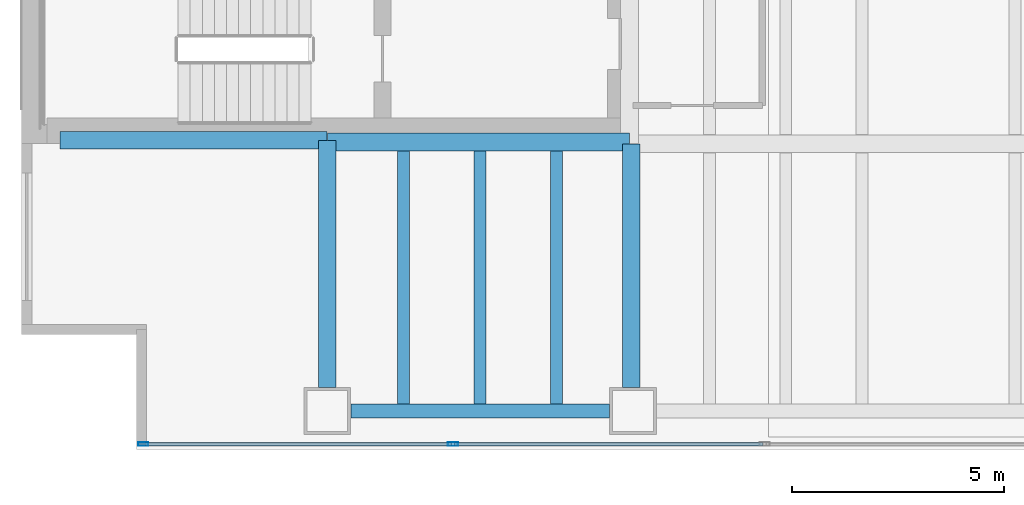
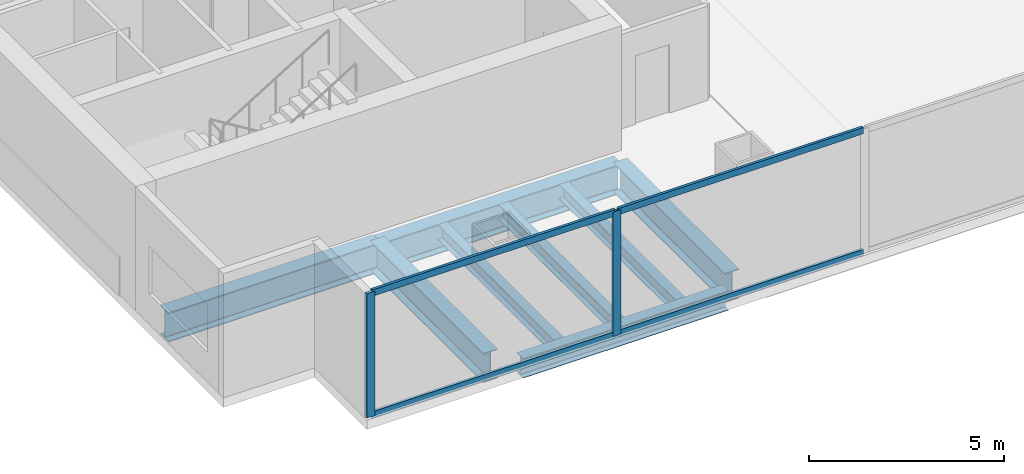
# One storey, part 2 of 32: 8 beams, 6 members, 1 element without a shape of its own.
"""IFC4 building model written with IfcOpenShell, lengths in metres."""

from ifc_helpers import new_model, si_unit, direction, frame, origin, origin_2d, place, context, subcontext, project, spatial, hollow_rectangle, i_section, extrude, material, material_profile, profile_set, type_object, element, aggregate, save


model = new_model("IFC4")

# Units and contexts
model_context = context("Model", 3, precision=1e-05, world=origin(), true_north=direction((0.0, 1.0)))
body_context = subcontext(model_context, "Body", "Model", "MODEL_VIEW")
ifc_project = project(units=[si_unit("LENGTHUNIT", "METRE"), si_unit("AREAUNIT", "SQUARE_METRE"), si_unit("VOLUMEUNIT", "CUBIC_METRE"), si_unit("PLANEANGLEUNIT", "RADIAN"), si_unit("MASSUNIT", "GRAM", prefix="KILO")], contexts=[model_context])

# Site, building, storey
site_placement = place(None, origin())
site = spatial("IfcSite", under=ifc_project, at=site_placement, CompositionType="ELEMENT")
building_placement = place(site_placement, origin())
building = spatial("IfcBuilding", under=site, at=building_placement, Name="Cobrela Telecom Tower", CompositionType="ELEMENT")
storey_placement = place(building_placement, frame((0.0, 0.0, 22.050048828125)))
storey = spatial("IfcBuildingStorey", under=building, at=storey_placement, Name="L05", CompositionType="ELEMENT", Elevation=22.050048828125)

# Beams
ifc_material_1 = material(Name="Steel ASTM A992 Grade 50", Category="steel")
ifc_material_profile_1 = material_profile(ifc_material_1, i_section(OverallWidth=0.4189453125, OverallDepth=0.927001953125, WebThickness=0.019287109375, FlangeThickness=0.031982421875, FilletRadius=0.02392578125, at=origin_2d()), Name="W36X231")
ifc_profile_set_1 = profile_set([ifc_material_profile_1], Name="Steel ASTM A992 Grade 50")
beam_type_1 = type_object("IfcBeamType", Name="BM-GIRD-02", PredefinedType="USERDEFINED", material=ifc_profile_set_1)
beam_1_placement = place(storey_placement, frame((0.905029296875, 7.280029296875, -0.753662109375), z_axis=(1.0, 0.0, 0.0), x_axis=(0.0, 1.0, 0.0)))
element("IfcBeam", 1, at=beam_1_placement, inside=storey, type_object=beam_type_1, Name="L05 Primary Girder X10", ObjectType="GIRDER", PredefinedType="USERDEFINED", context=body_context, shape_type="SweptSolid", body=[
    extrude(i_section(OverallWidth=0.4189453125, OverallDepth=0.927001953125, WebThickness=0.019287109375, FlangeThickness=0.031982421875, FilletRadius=0.02392578125, at=origin_2d()), origin(), (0.0, 0.0, 1.0), 6.2900390625),
])
beam_2_placement = place(storey_placement, frame((7.205078125, 7.239990234375, -0.753662109375), z_axis=(1.0, 0.0, 0.0), x_axis=(0.0, 1.0, 0.0)))
element("IfcBeam", 2, at=beam_2_placement, inside=storey, type_object=beam_type_1, Name="L05 Primary Girder X11", ObjectType="GIRDER", PredefinedType="USERDEFINED", context=body_context, shape_type="SweptSolid", body=[
    extrude(i_section(OverallWidth=0.4189453125, OverallDepth=0.927001953125, WebThickness=0.019287109375, FlangeThickness=0.031982421875, FilletRadius=0.02392578125, at=origin_2d()), origin(), (0.0, 0.0, 1.0), 7.10986328125),
])
beam_3_placement = place(storey_placement, frame((7.199951171875, 1.455078125, -0.753662109375), z_axis=(0.0, 1.0, 0.0), x_axis=(-1.0, 0.0, 0.0)))
element("IfcBeam", 3, at=beam_3_placement, inside=storey, type_object=beam_type_1, Name="L05 Primary Girder Y57", ObjectType="GIRDER", PredefinedType="USERDEFINED", context=body_context, shape_type="SweptSolid", body=[
    extrude(i_section(OverallWidth=0.4189453125, OverallDepth=0.927001953125, WebThickness=0.019287109375, FlangeThickness=0.031982421875, FilletRadius=0.02392578125, at=origin_2d()), origin(), (0.0, 0.0, 1.0), 5.81982421875),
])
beam_4_placement = place(storey_placement, frame((14.360107421875, 1.455078125, -0.753662109375), z_axis=(0.0, 1.0, 0.0), x_axis=(-1.0, 0.0, 0.0)))
element("IfcBeam", 4, at=beam_4_placement, inside=storey, type_object=beam_type_1, Name="L05 Primary Girder Y60", ObjectType="GIRDER", PredefinedType="USERDEFINED", context=body_context, shape_type="SweptSolid", body=[
    extrude(i_section(OverallWidth=0.4189453125, OverallDepth=0.927001953125, WebThickness=0.019287109375, FlangeThickness=0.031982421875, FilletRadius=0.02392578125, at=origin_2d()), origin(), (0.0, 0.0, 1.0), 5.739990234375),
])
ifc_material_profile_2 = material_profile(ifc_material_1, i_section(OverallWidth=0.281982421875, OverallDepth=0.467041015625, WebThickness=0.01220703125, FlangeThickness=0.01953125, FilletRadius=0.012939453125, at=origin_2d()), Name="W18X86")
ifc_profile_set_2 = profile_set([ifc_material_profile_2], Name="Steel ASTM A992 Grade 50")
beam_type_2 = type_object("IfcBeamType", Name="BM-JOIST-02", PredefinedType="JOIST", material=ifc_profile_set_2)
for number, where, z_axis, x_axis, name in (
    (5, (9.0, 1.0673828125, -0.5234375), (0.0, 1.0, 0.0), (-1.0, 0.0, 0.0), "L05 Secondary Composite Floor Beam J04"),
    (6, (10.800048828125, 1.0673828125, -0.5234375), (0.0, 1.0, 0.0), (-1.0, 0.0, 0.0), "L05 Secondary Composite Floor Beam J07"),
    (7, (12.60009765625, 1.0673828125, -0.5234375), (0.0, 1.0, 0.0), (-1.0, 0.0, 0.0), "L05 Secondary Composite Floor Beam J10"),
):
    element("IfcBeam", number, at=place(storey_placement, frame(where, z_axis=z_axis, x_axis=x_axis)), inside=storey, type_object=beam_type_2, Name=name, PredefinedType="JOIST", context=body_context, shape_type="SweptSolid", body=[
        extrude(i_section(OverallWidth=0.281982421875, OverallDepth=0.467041015625, WebThickness=0.01220703125, FlangeThickness=0.01953125, FilletRadius=0.012939453125, at=origin_2d()), origin(), (0.0, 0.0, 1.0), 5.9580078125),
    ])
ifc_material_profile_3 = material_profile(ifc_material_1, i_section(OverallWidth=0.324951171875, OverallDepth=0.612060546875, WebThickness=0.0126953125, FlangeThickness=0.01904296875, FilletRadius=0.014892578125, at=origin_2d()), Name="W24X104")
ifc_profile_set_3 = profile_set([ifc_material_profile_3], Name="Steel ASTM A992 Grade 50")
beam_type_3 = type_object("IfcBeamType", Name="BM-SPAND-02", PredefinedType="SPANDREL", material=ifc_profile_set_3)
beam_5_placement = place(storey_placement, frame((7.7548828125, 0.89990234375, -0.595947265625), z_axis=(1.0, 0.0, 0.0), x_axis=(0.0, 1.0, 0.0)))
element("IfcBeam", 8, at=beam_5_placement, inside=storey, type_object=beam_type_3, Name="L05 Perimeter Spandrel X01", PredefinedType="SPANDREL", context=body_context, shape_type="SweptSolid", body=[
    extrude(i_section(OverallWidth=0.324951171875, OverallDepth=0.612060546875, WebThickness=0.0126953125, FlangeThickness=0.01904296875, FilletRadius=0.014892578125, at=origin_2d()), origin(), (0.0, 0.0, 1.0), 6.090087890625),
])

# Curtain wall, members
ifc_material_2 = material(Name="Anodized Bronze Aluminium 6063-T6", Category="aluminium")
curtain_wall_type = type_object("IfcCurtainWallType", Name="CW-SYS-CONC", PredefinedType="USERDEFINED", material=ifc_material_2)
curtain_wall_placement = place(storey_placement, origin())
curtain_wall = element("IfcCurtainWall", 9, at=curtain_wall_placement, inside=storey, type_object=curtain_wall_type, Name="L05 Unitised Bronze Curtain Wall 17", ObjectType="UNITISED CURTAIN WALL", PredefinedType="USERDEFINED")
ifc_material_profile_4 = material_profile(ifc_material_2, hollow_rectangle(XDim=0.080078125, YDim=0.239990234375, WallThickness=0.0048828125, at=origin_2d()), Name="ALU 80x240x5")
ifc_profile_set_4 = profile_set([ifc_material_profile_4], Name="Anodized Bronze Aluminium 6063-T6")
member_type_1 = type_object("IfcMemberType", Name="CW-SYS-CONC-MUL", PredefinedType="MULLION", material=ifc_profile_set_4)
member_1_placement = place(storey_placement, frame((10.161865234375, 0.1201171875, 0.0), z_axis=(0.0, 0.0, 1.0), x_axis=(0.0, -1.0, 0.0)))
member_1 = element("IfcMember", 10, at=member_1_placement, type_object=member_type_1, Name="CW-CONC mullion 11", PredefinedType="MULLION", context=body_context, shape_type="SweptSolid", body=[
    extrude(hollow_rectangle(XDim=0.080078125, YDim=0.239990234375, WallThickness=0.0048828125, at=origin_2d()), origin(), (0.0, 0.0, 1.0), 3.89990234375),
])
member_2_placement = place(storey_placement, frame((2.860107421875, 0.1201171875, 0.0), z_axis=(0.0, 0.0, 1.0), x_axis=(0.0, -1.0, 0.0)))
member_2 = element("IfcMember", 11, at=member_2_placement, type_object=member_type_1, Name="CW-CONC mullion 12", PredefinedType="MULLION", context=body_context, shape_type="SweptSolid", body=[
    extrude(hollow_rectangle(XDim=0.080078125, YDim=0.239990234375, WallThickness=0.0048828125, at=origin_2d()), origin(), (0.0, 0.0, 1.0), 3.89990234375),
])
ifc_material_profile_5 = material_profile(ifc_material_2, hollow_rectangle(XDim=0.080078125, YDim=0.199951171875, WallThickness=0.00390625, at=origin_2d()), Name="ALU 80x200x4")
ifc_profile_set_5 = profile_set([ifc_material_profile_5], Name="Anodized Bronze Aluminium 6063-T6")
member_type_2 = type_object("IfcMemberType", Name="CW-SYS-CONC-TRN", PredefinedType="USERDEFINED", material=ifc_profile_set_5)
member_3_placement = place(storey_placement, frame((17.463623046875, 0.1201171875, 0.0400390625), z_axis=(-1.0, 0.0, 0.0), x_axis=(0.0, -1.0, 0.0)))
member_3 = element("IfcMember", 12, at=member_3_placement, type_object=member_type_2, Name="CW-CONC transom 10.1", ObjectType="TRANSOM", PredefinedType="USERDEFINED", context=body_context, shape_type="SweptSolid", body=[
    extrude(hollow_rectangle(XDim=0.080078125, YDim=0.199951171875, WallThickness=0.00390625, at=origin_2d()), origin(), (0.0, 0.0, 1.0), 7.26171875),
])
member_4_placement = place(storey_placement, frame((17.463623046875, 0.1201171875, 3.85986328125), z_axis=(-1.0, 0.0, 0.0), x_axis=(0.0, -1.0, 0.0)))
member_4 = element("IfcMember", 13, at=member_4_placement, type_object=member_type_2, Name="CW-CONC transom 10.2", ObjectType="TRANSOM", PredefinedType="USERDEFINED", context=body_context, shape_type="SweptSolid", body=[
    extrude(hollow_rectangle(XDim=0.080078125, YDim=0.199951171875, WallThickness=0.00390625, at=origin_2d()), origin(), (0.0, 0.0, 1.0), 7.26171875),
])
member_5_placement = place(storey_placement, frame((10.121826171875, 0.1201171875, 0.0400390625), z_axis=(-1.0, 0.0, 0.0), x_axis=(0.0, -1.0, 0.0)))
member_5 = element("IfcMember", 14, at=member_5_placement, type_object=member_type_2, Name="CW-CONC transom 11.1", ObjectType="TRANSOM", PredefinedType="USERDEFINED", context=body_context, shape_type="SweptSolid", body=[
    extrude(hollow_rectangle(XDim=0.080078125, YDim=0.199951171875, WallThickness=0.00390625, at=origin_2d()), origin(), (0.0, 0.0, 1.0), 7.221923828125),
])
member_6_placement = place(storey_placement, frame((10.121826171875, 0.1201171875, 3.85986328125), z_axis=(-1.0, 0.0, 0.0), x_axis=(0.0, -1.0, 0.0)))
member_6 = element("IfcMember", 15, at=member_6_placement, type_object=member_type_2, Name="CW-CONC transom 11.2", ObjectType="TRANSOM", PredefinedType="USERDEFINED", context=body_context, shape_type="SweptSolid", body=[
    extrude(hollow_rectangle(XDim=0.080078125, YDim=0.199951171875, WallThickness=0.00390625, at=origin_2d()), origin(), (0.0, 0.0, 1.0), 7.221923828125),
])
aggregate(curtain_wall, [member_1, member_2, member_3, member_4, member_5, member_6])

save(model, "model.ifc")
